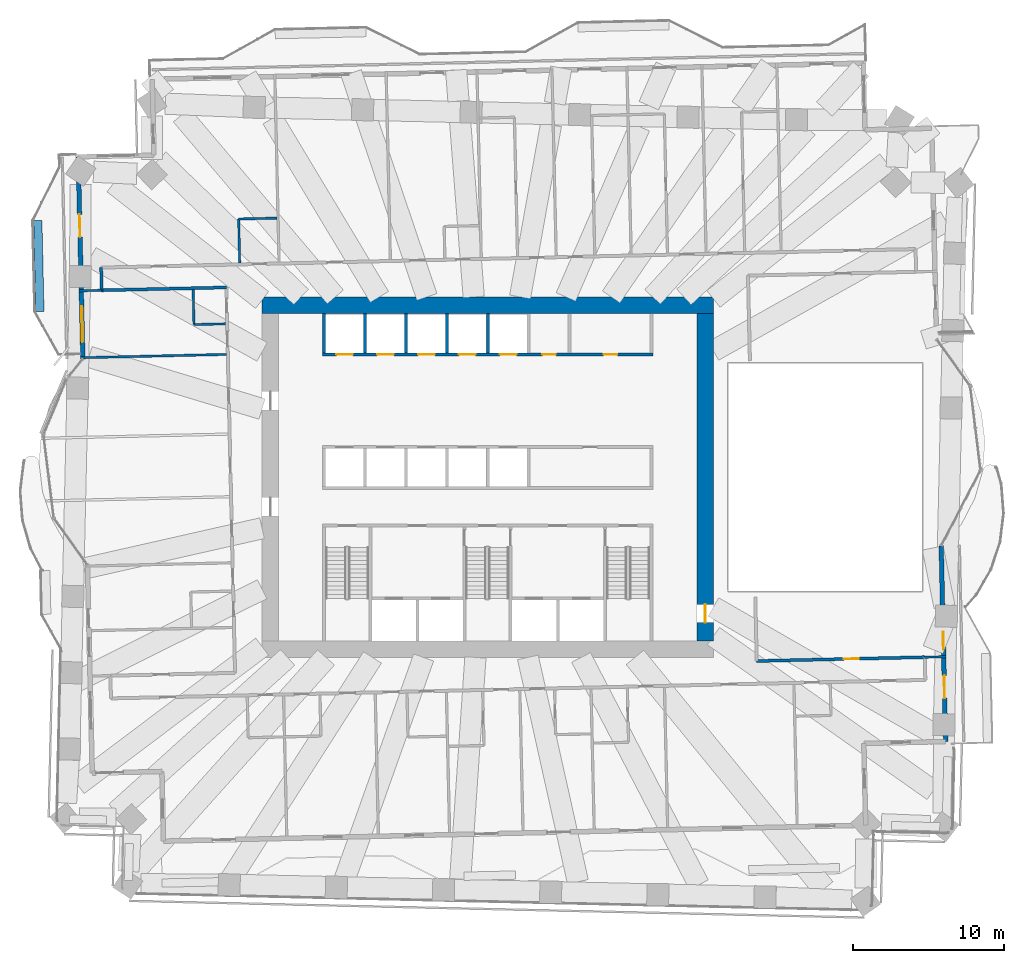
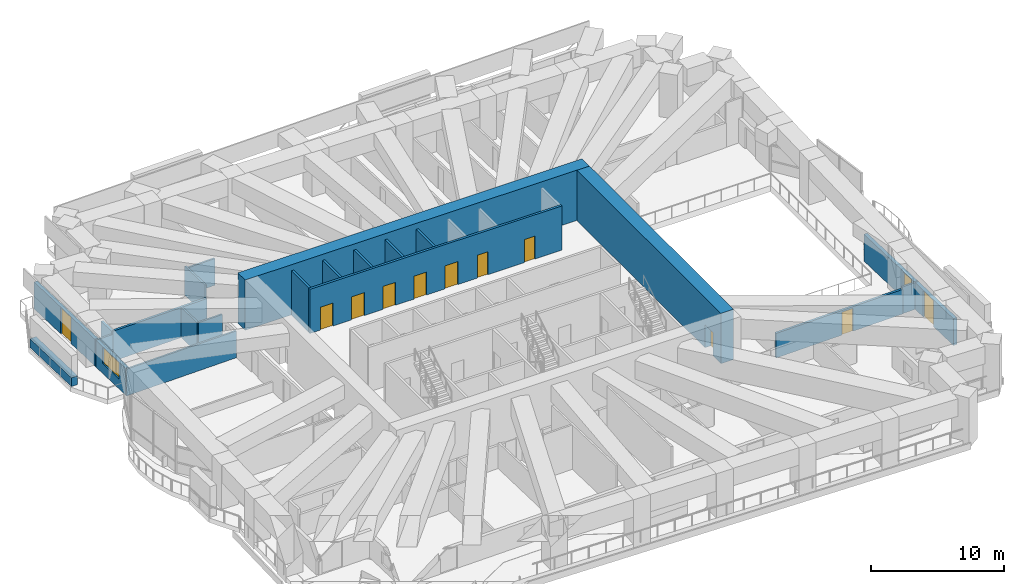
# One storey, part 13 of 20: 21 walls, 11 doors, 2 windows, 13 openings.
"""IFC4 building model written with IfcOpenShell, lengths in metres."""

from ifc_helpers import new_model, si_unit, direction, frame, frame_2d, origin, place, context, subcontext, project, spatial, rectangle, extrude, material, layer, layer_set, type_object, element, fill, save


model = new_model("IFC4")

# Units and contexts
model_context = context("Model", 3, precision=1e-05, world=origin(), true_north=direction((0.0, 1.0)))
body_context = subcontext(model_context, "Body", "Model", "MODEL_VIEW")
ifc_project = project(units=[si_unit("LENGTHUNIT", "METRE"), si_unit("AREAUNIT", "SQUARE_METRE"), si_unit("VOLUMEUNIT", "CUBIC_METRE"), si_unit("PLANEANGLEUNIT", "RADIAN"), si_unit("MASSUNIT", "GRAM", prefix="KILO")], contexts=[model_context])

# Site, building, storey
site_placement = place(None, origin())
site = spatial("IfcSite", under=ifc_project, at=site_placement, CompositionType="ELEMENT")
building_placement = place(site_placement, origin())
building = spatial("IfcBuilding", under=site, at=building_placement, Name="Mangrove Gate Tower", CompositionType="ELEMENT")
storey_placement = place(building_placement, frame((0.0, 0.0, 74.699951171875)))
storey = spatial("IfcBuildingStorey", under=building, at=storey_placement, Name="L18", CompositionType="ELEMENT", Elevation=74.699951171875)

# Wall, openings, doors
ifc_material_1 = material(Name="Concrete C70/85", Category="concrete")
ifc_layer_1 = layer(ifc_material_1, 0.199951171875)
ifc_layer_set_1 = layer_set([ifc_layer_1], Name="Core shaft wall 200 C70/85")
wall_type_1 = type_object("IfcWallType", Name="Core shaft wall 200 C70/85", PredefinedType="SHEAR", material=ifc_layer_set_1)
wall_1_placement = place(storey_placement, frame((-10.89990234375, 8.10009765625, 0.0), z_axis=(0.0, 0.0, 1.0), x_axis=(1.0, 0.0, 0.0)))
wall_1 = element("IfcWall", 1, at=wall_1_placement, inside=storey, type_object=wall_type_1, Name="WALL-L18-CORE-8", PredefinedType="SHEAR", context=body_context, shape_type="SweptSolid", body=[
    extrude(rectangle(XDim=21.7998046875, YDim=0.199951171875, at=frame_2d((10.89990234375, 0.0))), origin(), (0.0, 0.0, 1.0), 4.050048828125),
])
opening_1_placement = place(wall_1_placement, frame((0.89990234375, 0.0, 0.0)))
opening_1 = element("IfcOpeningElement", 2, at=opening_1_placement, cuts=wall_1, Name="Opening LD", PredefinedType="OPENING", context=body_context, shape_type="SweptSolid", body=[
    extrude(rectangle(XDim=1.10009765625, YDim=2.10009765625, at=frame_2d((0.550048828125, 1.050048828125))), frame((0.0, 0.10986328125, 0.0), z_axis=(0.0, -1.0, 0.0), x_axis=(1.0, 0.0, 0.0)), (0.0, 0.0, 1.0), 0.219970703125),
])
opening_2_placement = place(wall_1_placement, frame((3.60009765625, 0.0, 0.0)))
opening_2 = element("IfcOpeningElement", 3, at=opening_2_placement, cuts=wall_1, Name="Opening LD", PredefinedType="OPENING", context=body_context, shape_type="SweptSolid", body=[
    extrude(rectangle(XDim=1.10009765625, YDim=2.10009765625, at=frame_2d((0.550048828125, 1.050048828125))), frame((0.0, 0.10986328125, 0.0), z_axis=(0.0, -1.0, 0.0), x_axis=(1.0, 0.0, 0.0)), (0.0, 0.0, 1.0), 0.219970703125),
])
opening_3_placement = place(wall_1_placement, frame((6.300048828125, 0.0, 0.0)))
opening_3 = element("IfcOpeningElement", 4, at=opening_3_placement, cuts=wall_1, Name="Opening LD", PredefinedType="OPENING", context=body_context, shape_type="SweptSolid", body=[
    extrude(rectangle(XDim=1.10009765625, YDim=2.10009765625, at=frame_2d((0.550048828125, 1.050048828125))), frame((0.0, 0.10986328125, 0.0), z_axis=(0.0, -1.0, 0.0), x_axis=(1.0, 0.0, 0.0)), (0.0, 0.0, 1.0), 0.219970703125),
])
opening_4_placement = place(wall_1_placement, frame((9.0, 0.0, 0.0)))
opening_4 = element("IfcOpeningElement", 5, at=opening_4_placement, cuts=wall_1, Name="Opening LD", PredefinedType="OPENING", context=body_context, shape_type="SweptSolid", body=[
    extrude(rectangle(XDim=1.10009765625, YDim=2.10009765625, at=frame_2d((0.550048828125, 1.050048828125))), frame((0.0, 0.10986328125, 0.0), z_axis=(0.0, -1.0, 0.0), x_axis=(1.0, 0.0, 0.0)), (0.0, 0.0, 1.0), 0.219970703125),
])
opening_5_placement = place(wall_1_placement, frame((11.699951171875, 0.0, 0.0)))
opening_5 = element("IfcOpeningElement", 6, at=opening_5_placement, cuts=wall_1, Name="Opening LD", PredefinedType="OPENING", context=body_context, shape_type="SweptSolid", body=[
    extrude(rectangle(XDim=1.10009765625, YDim=2.10009765625, at=frame_2d((0.550048828125, 1.050048828125))), frame((0.0, 0.10986328125, 0.0), z_axis=(0.0, -1.0, 0.0), x_axis=(1.0, 0.0, 0.0)), (0.0, 0.0, 1.0), 0.219970703125),
])
opening_6_placement = place(wall_1_placement, frame((14.5, 0.0, 0.0)))
opening_6 = element("IfcOpeningElement", 7, at=opening_6_placement, cuts=wall_1, Name="Opening KD", PredefinedType="OPENING", context=body_context, shape_type="SweptSolid", body=[
    extrude(rectangle(XDim=0.89990234375, YDim=2.10009765625, at=frame_2d((0.449951171875, 1.050048828125))), frame((0.0, 0.10986328125, 0.0), z_axis=(0.0, -1.0, 0.0), x_axis=(1.0, 0.0, 0.0)), (0.0, 0.0, 1.0), 0.219970703125),
])
opening_7_placement = place(wall_1_placement, frame((18.550048828125, 0.0, 0.0)))
opening_7 = element("IfcOpeningElement", 8, at=opening_7_placement, cuts=wall_1, Name="Opening KD", PredefinedType="OPENING", context=body_context, shape_type="SweptSolid", body=[
    extrude(rectangle(XDim=0.89990234375, YDim=2.10009765625, at=frame_2d((0.449951171875, 1.050048828125))), frame((0.0, 0.10986328125, 0.0), z_axis=(0.0, -1.0, 0.0), x_axis=(1.0, 0.0, 0.0)), (0.0, 0.0, 1.0), 0.219970703125),
])
ifc_material_2 = material(Name="Fire-rated steel door set", Category="steel")
door_type_1 = type_object("IfcDoorType", Name="Core room door FD30S 900x2100", OperationType="SINGLE_SWING_RIGHT", PredefinedType="DOOR", material=ifc_material_2)
door_1_placement = place(opening_6_placement, origin())
door_1 = element("IfcDoor", 9, at=door_1_placement, inside=storey, type_object=door_type_1, Name="Core room door Pantry store", OperationType="SINGLE_SWING_RIGHT", OverallHeight=2.10009765625, OverallWidth=0.89990234375, PredefinedType="DOOR", context=body_context, shape_type="SweptSolid", body=[
    extrude(rectangle(XDim=0.89990234375, YDim=2.10009765625, at=frame_2d((0.449951171875, 1.050048828125))), frame((0.0, 0.02490234375, 0.0), z_axis=(0.0, -1.0, 0.0), x_axis=(1.0, 0.0, 0.0)), (0.0, 0.0, 1.0), 0.050048828125),
])
fill(opening_6, door_1)
door_2_placement = place(opening_7_placement, origin())
door_2 = element("IfcDoor", 10, at=door_2_placement, inside=storey, type_object=door_type_1, Name="Core room door Cleaner's store", OperationType="SINGLE_SWING_RIGHT", OverallHeight=2.10009765625, OverallWidth=0.89990234375, PredefinedType="DOOR", context=body_context, shape_type="SweptSolid", body=[
    extrude(rectangle(XDim=0.89990234375, YDim=2.10009765625, at=frame_2d((0.449951171875, 1.050048828125))), frame((0.0, 0.02490234375, 0.0), z_axis=(0.0, -1.0, 0.0), x_axis=(1.0, 0.0, 0.0)), (0.0, 0.0, 1.0), 0.050048828125),
])
fill(opening_7, door_2)
ifc_material_3 = material(Name="Stainless steel 316", Category="steel")
door_type_2 = type_object("IfcDoorType", Name="Lift landing door 1100x2100", OperationType="SLIDING_TO_LEFT", PredefinedType="DOOR", material=ifc_material_3)
door_3_placement = place(opening_1_placement, origin())
door_3 = element("IfcDoor", 11, at=door_3_placement, inside=storey, type_object=door_type_2, Name="Landing door LD P06", OperationType="SLIDING_TO_LEFT", OverallHeight=2.10009765625, OverallWidth=1.10009765625, PredefinedType="DOOR", context=body_context, shape_type="SweptSolid", body=[
    extrude(rectangle(XDim=1.10009765625, YDim=2.10009765625, at=frame_2d((0.550048828125, 1.050048828125))), frame((0.0, 0.02490234375, 0.0), z_axis=(0.0, -1.0, 0.0), x_axis=(1.0, 0.0, 0.0)), (0.0, 0.0, 1.0), 0.050048828125),
])
fill(opening_1, door_3)
door_4_placement = place(opening_2_placement, origin())
door_4 = element("IfcDoor", 12, at=door_4_placement, inside=storey, type_object=door_type_2, Name="Landing door LD P07", OperationType="SLIDING_TO_LEFT", OverallHeight=2.10009765625, OverallWidth=1.10009765625, PredefinedType="DOOR", context=body_context, shape_type="SweptSolid", body=[
    extrude(rectangle(XDim=1.10009765625, YDim=2.10009765625, at=frame_2d((0.550048828125, 1.050048828125))), frame((0.0, 0.02490234375, 0.0), z_axis=(0.0, -1.0, 0.0), x_axis=(1.0, 0.0, 0.0)), (0.0, 0.0, 1.0), 0.050048828125),
])
fill(opening_2, door_4)
door_5_placement = place(opening_3_placement, origin())
door_5 = element("IfcDoor", 13, at=door_5_placement, inside=storey, type_object=door_type_2, Name="Landing door LD P08", OperationType="SLIDING_TO_LEFT", OverallHeight=2.10009765625, OverallWidth=1.10009765625, PredefinedType="DOOR", context=body_context, shape_type="SweptSolid", body=[
    extrude(rectangle(XDim=1.10009765625, YDim=2.10009765625, at=frame_2d((0.550048828125, 1.050048828125))), frame((0.0, 0.02490234375, 0.0), z_axis=(0.0, -1.0, 0.0), x_axis=(1.0, 0.0, 0.0)), (0.0, 0.0, 1.0), 0.050048828125),
])
fill(opening_3, door_5)
door_6_placement = place(opening_4_placement, origin())
door_6 = element("IfcDoor", 14, at=door_6_placement, inside=storey, type_object=door_type_2, Name="Landing door LD P09", OperationType="SLIDING_TO_LEFT", OverallHeight=2.10009765625, OverallWidth=1.10009765625, PredefinedType="DOOR", context=body_context, shape_type="SweptSolid", body=[
    extrude(rectangle(XDim=1.10009765625, YDim=2.10009765625, at=frame_2d((0.550048828125, 1.050048828125))), frame((0.0, 0.02490234375, 0.0), z_axis=(0.0, -1.0, 0.0), x_axis=(1.0, 0.0, 0.0)), (0.0, 0.0, 1.0), 0.050048828125),
])
fill(opening_4, door_6)
door_7_placement = place(opening_5_placement, origin())
door_7 = element("IfcDoor", 15, at=door_7_placement, inside=storey, type_object=door_type_2, Name="Landing door LD P10", OperationType="SLIDING_TO_LEFT", OverallHeight=2.10009765625, OverallWidth=1.10009765625, PredefinedType="DOOR", context=body_context, shape_type="SweptSolid", body=[
    extrude(rectangle(XDim=1.10009765625, YDim=2.10009765625, at=frame_2d((0.550048828125, 1.050048828125))), frame((0.0, 0.02490234375, 0.0), z_axis=(0.0, -1.0, 0.0), x_axis=(1.0, 0.0, 0.0)), (0.0, 0.0, 1.0), 0.050048828125),
])
fill(opening_5, door_7)

# Walls
for number, where, z_axis, x_axis, name in (
    (16, (-10.800048828125, 8.199951171875, 0.0), (0.0, 0.0, 1.0), (0.0, 1.0, 0.0), "WALL-L18-CORE-26"),
    (17, (-8.10009765625, 8.199951171875, 0.0), (0.0, 0.0, 1.0), (0.0, 1.0, 0.0), "WALL-L18-CORE-27"),
    (18, (-5.39990234375, 8.199951171875, 0.0), (0.0, 0.0, 1.0), (0.0, 1.0, 0.0), "WALL-L18-CORE-28"),
    (19, (-2.699951171875, 8.199951171875, 0.0), (0.0, 0.0, 1.0), (0.0, 1.0, 0.0), "WALL-L18-CORE-29"),
    (20, (0.0, 8.199951171875, 0.0), (0.0, 0.0, 1.0), (0.0, 1.0, 0.0), "WALL-L18-CORE-30"),
):
    element("IfcWall", number, at=place(storey_placement, frame(where, z_axis=z_axis, x_axis=x_axis)), inside=storey, type_object=wall_type_1, Name=name, PredefinedType="SHEAR", context=body_context, shape_type="SweptSolid", body=[
        extrude(rectangle(XDim=2.60009765625, YDim=0.199951171875, at=frame_2d((1.300048828125, 0.0))), origin(), (0.0, 0.0, 1.0), 4.050048828125),
    ])
ifc_material_4 = material(Name="Concrete C70/85", Category="concrete")
ifc_layer_2 = layer(ifc_material_4, 1.10009765625)
ifc_layer_set_2 = layer_set([ifc_layer_2], Name="Core wall 1100 C70/85")
wall_type_2 = type_object("IfcWallType", Name="Core wall 1100 C70/85", PredefinedType="SHEAR", material=ifc_layer_set_2)
wall_2_placement = place(storey_placement, frame((-14.89990234375, 11.35009765625, 0.0), z_axis=(0.0, 0.0, 1.0), x_axis=(1.0, 0.0, 0.0)))
element("IfcWall", 21, at=wall_2_placement, inside=storey, type_object=wall_type_2, Name="WALL-L18-CORE-2", PredefinedType="SHEAR", context=body_context, shape_type="SweptSolid", body=[
    extrude(rectangle(XDim=29.7998046875, YDim=1.10009765625, at=frame_2d((14.89990234375, 0.0))), origin(), (0.0, 0.0, 1.0), 4.60009765625),
])

# Wall, opening, door
wall_3_placement = place(storey_placement, frame((14.35009765625, -10.800048828125, 0.0), z_axis=(0.0, 0.0, 1.0), x_axis=(0.0, 1.0, 0.0)))
wall_3 = element("IfcWall", 22, at=wall_3_placement, inside=storey, type_object=wall_type_2, Name="WALL-L18-CORE-4", PredefinedType="SHEAR", context=body_context, shape_type="SweptSolid", body=[
    extrude(rectangle(XDim=21.60009765625, YDim=1.10009765625, at=frame_2d((10.800048828125, 0.0))), origin(), (0.0, 0.0, 1.0), 4.60009765625),
])
opening_8_placement = place(wall_3_placement, frame((1.199951171875, 0.0, 0.0)))
opening_8 = element("IfcOpeningElement", 23, at=opening_8_placement, cuts=wall_3, Name="Opening CD", PredefinedType="OPENING", context=body_context, shape_type="SweptSolid", body=[
    extrude(rectangle(XDim=1.199951171875, YDim=2.10009765625, at=frame_2d((0.60009765625, 1.050048828125))), frame((0.0, 0.56005859375, 0.0), z_axis=(0.0, -1.0, 0.0), x_axis=(1.0, 0.0, 0.0)), (0.0, 0.0, 1.0), 1.1201171875),
])
ifc_material_5 = material(Name="Fire-rated steel door set", Category="steel")
door_type_3 = type_object("IfcDoorType", Name="Core ring door FD60 1200x2100", OperationType="DOUBLE_DOOR_SINGLE_SWING", PredefinedType="DOOR", material=ifc_material_5)
door_8_placement = place(opening_8_placement, origin())
door_8 = element("IfcDoor", 24, at=door_8_placement, inside=storey, type_object=door_type_3, Name="Core ring door E1", OperationType="DOUBLE_DOOR_SINGLE_SWING", OverallHeight=2.10009765625, OverallWidth=1.199951171875, PredefinedType="DOOR", context=body_context, shape_type="SweptSolid", body=[
    extrude(rectangle(XDim=1.199951171875, YDim=2.10009765625, at=frame_2d((0.60009765625, 1.050048828125))), frame((0.0, 0.02490234375, 0.0), z_axis=(0.0, -1.0, 0.0), x_axis=(1.0, 0.0, 0.0)), (0.0, 0.0, 1.0), 0.050048828125),
])
fill(opening_8, door_8)

ifc_material_6 = material(Name="Gypsum board on steel stud, EI 60", Category="steel")
ifc_layer_3 = layer(ifc_material_6, 0.199951171875)
ifc_layer_set_3 = layer_set([ifc_layer_3], Name="Corridor wall EI 60")
wall_type_3 = type_object("IfcWallType", Name="Corridor wall EI 60", PredefinedType="PARTITIONING", material=ifc_layer_set_3)
wall_4_placement = place(storey_placement, frame((17.7529296875, -12.136962890625, 0.0), z_axis=(0.0, 0.0, 1.0), x_axis=(0.99974235761, 0.022698422868, 0.0)))
wall_4 = element("IfcWall", 25, at=wall_4_placement, inside=storey, type_object=wall_type_3, Name="WALL-L18-027", PredefinedType="PARTITIONING", context=body_context, shape_type="SweptSolid", body=[
    extrude(rectangle(XDim=11.10009765625, YDim=0.199951171875, at=frame_2d((5.550048828125, 0.0))), origin(), (0.0, 0.0, 1.0), 2.25),
])
opening_9_placement = place(wall_4_placement, frame((5.75, 0.0, 0.0)))
opening_9 = element("IfcOpeningElement", 26, at=opening_9_placement, cuts=wall_4, Name="Opening AD", PredefinedType="OPENING", context=body_context, shape_type="SweptSolid", body=[
    extrude(rectangle(XDim=1.0, YDim=2.10009765625, at=frame_2d((0.5, 1.050048828125))), frame((0.0, 0.10986328125, 0.0), z_axis=(0.0, -1.0, 0.0), x_axis=(1.0, 0.0, 0.0)), (0.0, 0.0, 1.0), 0.219970703125),
])
ifc_material_7 = material(Name="Timber door leaf", Category="wood")
door_type_4 = type_object("IfcDoorType", Name="Amenity door 1000", OperationType="SINGLE_SWING_LEFT", PredefinedType="DOOR", material=ifc_material_7)
door_9_placement = place(opening_9_placement, origin())
door_9 = element("IfcDoor", 27, at=door_9_placement, inside=storey, type_object=door_type_4, Name="DOOR-L18-GAM-c3a", OperationType="SINGLE_SWING_RIGHT", OverallHeight=2.10009765625, OverallWidth=1.0, PredefinedType="DOOR", context=body_context, shape_type="SweptSolid", body=[
    extrude(rectangle(XDim=1.0, YDim=2.10009765625, at=frame_2d((0.5, 1.050048828125))), frame((0.0, 0.02490234375, 0.0), z_axis=(0.0, -1.0, 0.0), x_axis=(1.0, 0.0, 0.0)), (0.0, 0.0, 1.0), 0.050048828125),
])
fill(opening_9, door_9)

# Walls
wall_5_placement = place(storey_placement, frame((-25.490966796875, 12.337890625, 0.0), z_axis=(0.0, 0.0, 1.0), x_axis=(0.999742172114, 0.022706591468, 0.0)))
element("IfcWall", 28, at=wall_5_placement, inside=storey, type_object=wall_type_3, Name="WALL-L18-041", PredefinedType="PARTITIONING", context=body_context, shape_type="SweptSolid", body=[
    extrude(rectangle(XDim=8.236083984375, YDim=0.199951171875, at=frame_2d((4.1181640625, 0.0))), origin(), (0.0, 0.0, 1.0), 2.75),
])
wall_6_placement = place(storey_placement, frame((-25.489013671875, 12.337890625, 0.0), z_axis=(0.0, 0.0, 1.0), x_axis=(-0.022617910375, 0.999744182344, 0.0)))
element("IfcWall", 29, at=wall_6_placement, inside=storey, type_object=wall_type_3, Name="WALL-L18-042", PredefinedType="PARTITIONING", context=body_context, shape_type="SweptSolid", body=[
    extrude(rectangle(XDim=1.50048828125, YDim=0.199951171875, at=frame_2d((0.750244140625, 0.0))), origin(), (0.0, 0.0, 1.0), 2.75),
])

# Wall, openings, door, window
ifc_material_8 = material(Name="Limestone", Category="masonry")
ifc_layer_4 = layer(ifc_material_8, 0.0400390625, Name="Limestone cladding")
ifc_material_9 = material(Name="Ventilated air gap")
ifc_layer_5 = layer(ifc_material_9, 0.0400390625, Name="Ventilated cavity")
ifc_material_10 = material(Name="Mineral wool insulation")
ifc_layer_6 = layer(ifc_material_10, 0.06005859375, Name="Insulation")
ifc_material_11 = material(Name="Breather membrane")
ifc_layer_7 = layer(ifc_material_11, 0.001953125, Name="Breather membrane")
ifc_material_12 = material(Name="Concrete C20/25 blockwork", Category="masonry")
ifc_layer_8 = layer(ifc_material_12, 0.14990234375, Name="Blockwork backing wall")
ifc_material_13 = material(Name="Gypsum plaster")
ifc_layer_9 = layer(ifc_material_13, 0.008056640625, Name="Internal plaster")
ifc_layer_set_4 = layer_set([ifc_layer_4, ifc_layer_5, ifc_layer_6, ifc_layer_7, ifc_layer_8, ifc_layer_9], Name="External wall 300 limestone cladding")
wall_type_4 = type_object("IfcWallType", Name="External wall 300 limestone cladding", PredefinedType="SOLIDWALL", material=ifc_layer_set_4)
wall_7_placement = place(storey_placement, frame((30.22705078125, -17.455078125, 0.0), z_axis=(0.0, 0.0, 1.0), x_axis=(-0.022734702163, 0.999741533256, 0.0)))
wall_7 = element("IfcWall", 30, at=wall_7_placement, inside=storey, type_object=wall_type_4, Name="WALL-L18-E0", PredefinedType="SOLIDWALL", context=body_context, shape_type="SweptSolid", body=[
    extrude(rectangle(XDim=12.929443359375, YDim=0.300048828125, at=frame_2d((6.46484375, 0.0))), origin(), (0.0, 0.0, 1.0), 2.449951171875),
])
opening_10_placement = place(wall_7_placement, frame((2.863037109375, 0.0, 0.0)))
opening_10 = element("IfcOpeningElement", 31, at=opening_10_placement, cuts=wall_7, Name="Opening BD1", PredefinedType="OPENING", context=body_context, shape_type="SweptSolid", body=[
    extrude(rectangle(XDim=1.5, YDim=2.39990234375, at=frame_2d((0.75, 1.199951171875))), frame((0.0, 0.159912109375, 0.0), z_axis=(0.0, -1.0, 0.0), x_axis=(1.0, 0.0, 0.0)), (0.0, 0.0, 1.0), 0.320068359375),
])
opening_11_placement = place(wall_7_placement, frame((6.05908203125, 0.0, 0.89990234375)))
opening_11 = element("IfcOpeningElement", 32, at=opening_11_placement, cuts=wall_7, Name="Opening W1", PredefinedType="OPENING", context=body_context, shape_type="SweptSolid", body=[
    extrude(rectangle(XDim=1.199951171875, YDim=1.5, at=frame_2d((0.60009765625, 0.75))), frame((0.0, 0.159912109375, 0.0), z_axis=(0.0, -1.0, 0.0), x_axis=(1.0, 0.0, 0.0)), (0.0, 0.0, 1.0), 0.320068359375),
])
ifc_material_14 = material(Name="Aluminium frame with laminated clear glass", Category="aluminium")
door_type_5 = type_object("IfcDoorType", Name="Balcony sliding door 1500x2400", OperationType="SLIDING_TO_LEFT", PredefinedType="DOOR", material=ifc_material_14)
door_10_placement = place(opening_10_placement, origin())
door_10 = element("IfcDoor", 33, at=door_10_placement, inside=storey, type_object=door_type_5, Name="DOOR-L18-E0-1", OperationType="SLIDING_TO_LEFT", OverallHeight=2.39990234375, OverallWidth=1.5, PredefinedType="DOOR", context=body_context, shape_type="SweptSolid", body=[
    extrude(rectangle(XDim=1.5, YDim=2.39990234375, at=frame_2d((0.75, 1.199951171875))), frame((0.0, 0.02490234375, 0.0), z_axis=(0.0, -1.0, 0.0), x_axis=(1.0, 0.0, 0.0)), (0.0, 0.0, 1.0), 0.050048828125),
])
fill(opening_10, door_10)
ifc_material_15 = material(Name="Aluminium frame with double-glazed low-e glass", Category="aluminium")
window_type_1 = type_object("IfcWindowType", Name="Side lite 1200x1500", PartitioningType="SINGLE_PANEL", PredefinedType="WINDOW", material=ifc_material_15)
window_1_placement = place(opening_11_placement, origin())
window_1 = element("IfcWindow", 34, at=window_1_placement, inside=storey, type_object=window_type_1, Name="WIN-L18-E0-2", OverallHeight=1.5, OverallWidth=1.199951171875, PartitioningType="SINGLE_PANEL", PredefinedType="WINDOW", context=body_context, shape_type="SweptSolid", body=[
    extrude(rectangle(XDim=1.199951171875, YDim=1.5, at=frame_2d((0.60009765625, 0.75))), frame((0.0, 0.030029296875, 0.0), z_axis=(0.0, -1.0, 0.0), x_axis=(1.0, 0.0, 0.0)), (0.0, 0.0, 1.0), 0.06005859375),
])
fill(opening_11, window_1)

wall_8_placement = place(storey_placement, frame((-27.035888671875, 21.155029296875, 0.0), z_axis=(0.0, 0.0, 1.0), x_axis=(0.022730142562, -0.999741636934, 0.0)))
wall_8 = element("IfcWall", 35, at=wall_8_placement, inside=storey, type_object=wall_type_4, Name="WALL-L18-W8", PredefinedType="SOLIDWALL", context=body_context, shape_type="SweptSolid", body=[
    extrude(rectangle(XDim=13.329345703125, YDim=0.300048828125, at=frame_2d((6.66455078125, 0.0))), origin(), (0.0, 0.0, 1.0), 2.449951171875),
])
opening_12_placement = place(wall_8_placement, frame((3.81298828125, 0.0, 0.0)))
opening_12 = element("IfcOpeningElement", 36, at=opening_12_placement, cuts=wall_8, Name="Opening BD1", PredefinedType="OPENING", context=body_context, shape_type="SweptSolid", body=[
    extrude(rectangle(XDim=1.5, YDim=2.39990234375, at=frame_2d((0.75, 1.199951171875))), frame((0.0, 0.159912109375, 0.0), z_axis=(0.0, -1.0, 0.0), x_axis=(1.0, 0.0, 0.0)), (0.0, 0.0, 1.0), 0.320068359375),
])
opening_13_placement = place(wall_8_placement, frame((9.862060546875, 0.0, 0.89990234375)))
opening_13 = element("IfcOpeningElement", 37, at=opening_13_placement, cuts=wall_8, Name="Opening W2", PredefinedType="OPENING", context=body_context, shape_type="SweptSolid", body=[
    extrude(rectangle(XDim=2.39990234375, YDim=1.5, at=frame_2d((1.199951171875, 0.75))), frame((0.0, 0.159912109375, 0.0), z_axis=(0.0, -1.0, 0.0), x_axis=(1.0, 0.0, 0.0)), (0.0, 0.0, 1.0), 0.320068359375),
])
door_11_placement = place(opening_12_placement, origin())
door_11 = element("IfcDoor", 38, at=door_11_placement, inside=storey, type_object=door_type_5, Name="DOOR-L18-W8-1", OperationType="SLIDING_TO_LEFT", OverallHeight=2.39990234375, OverallWidth=1.5, PredefinedType="DOOR", context=body_context, shape_type="SweptSolid", body=[
    extrude(rectangle(XDim=1.5, YDim=2.39990234375, at=frame_2d((0.75, 1.199951171875))), frame((0.0, 0.02490234375, 0.0), z_axis=(0.0, -1.0, 0.0), x_axis=(1.0, 0.0, 0.0)), (0.0, 0.0, 1.0), 0.050048828125),
])
fill(opening_12, door_11)
ifc_material_16 = material(Name="Aluminium frame with double-glazed low-e glass", Category="aluminium")
window_type_2 = type_object("IfcWindowType", Name="Corner room window 2400x1500", PartitioningType="DOUBLE_PANEL_VERTICAL", PredefinedType="WINDOW", material=ifc_material_16)
window_2_placement = place(opening_13_placement, origin())
window_2 = element("IfcWindow", 39, at=window_2_placement, inside=storey, type_object=window_type_2, Name="WIN-L18-W8-2", OverallHeight=1.5, OverallWidth=2.39990234375, PartitioningType="DOUBLE_PANEL_VERTICAL", PredefinedType="WINDOW", context=body_context, shape_type="SweptSolid", body=[
    extrude(rectangle(XDim=2.39990234375, YDim=1.5, at=frame_2d((1.199951171875, 0.75))), frame((0.0, 0.030029296875, 0.0), z_axis=(0.0, -1.0, 0.0), x_axis=(1.0, 0.0, 0.0)), (0.0, 0.0, 1.0), 0.06005859375),
])
fill(opening_13, window_2)

# Walls
ifc_material_17 = material(Name="Gypsum board on steel stud, EI 60", Category="steel")
ifc_layer_10 = layer(ifc_material_17, 0.14990234375)
ifc_layer_set_5 = layer_set([ifc_layer_10], Name="Party wall 150 EI 60")
wall_type_5 = type_object("IfcWallType", Name="Party wall 150 EI 60", PredefinedType="PARTITIONING", material=ifc_layer_set_5)
wall_9_placement = place(storey_placement, frame((28.845947265625, -11.885009765625, 0.0), z_axis=(0.0, 0.0, 1.0), x_axis=(0.999740667531, 0.022772739949, 0.0)))
element("IfcWall", 40, at=wall_9_placement, inside=storey, type_object=wall_type_5, Name="WALL-L18-029", PredefinedType="PARTITIONING", context=body_context, shape_type="SweptSolid", body=[
    extrude(rectangle(XDim=1.404296875, YDim=0.14990234375, at=frame_2d((0.7021484375, 0.0))), origin(), (0.0, 0.0, 1.0), 2.449951171875),
])
wall_10_placement = place(storey_placement, frame((-26.885009765625, 7.885009765625, 0.0), z_axis=(0.0, 0.0, 1.0), x_axis=(0.999741468995, 0.022737527832, 0.0)))
element("IfcWall", 41, at=wall_10_placement, inside=storey, type_object=wall_type_5, Name="WALL-L18-037", PredefinedType="PARTITIONING", context=body_context, shape_type="SweptSolid", body=[
    extrude(rectangle(XDim=9.63134765625, YDim=0.14990234375, at=frame_2d((4.815673828125, 0.0))), origin(), (0.0, 0.0, 1.0), 2.449951171875),
])
wall_11_placement = place(storey_placement, frame((-19.402099609375, 10.075927734375, 0.0), z_axis=(0.0, 0.0, 1.0), x_axis=(0.999748393524, 0.022430997437, 0.0)))
element("IfcWall", 42, at=wall_11_placement, inside=storey, type_object=wall_type_5, Name="WALL-L18-038", PredefinedType="PARTITIONING", context=body_context, shape_type="SweptSolid", body=[
    extrude(rectangle(XDim=2.1005859375, YDim=0.14990234375, at=frame_2d((1.05029296875, 0.0))), origin(), (0.0, 0.0, 1.0), 2.75),
])
wall_12_placement = place(storey_placement, frame((-19.39697265625, 10.075927734375, 0.0), z_axis=(0.0, 0.0, 1.0), x_axis=(-0.022612884682, 0.999744296031, 0.0)))
element("IfcWall", 43, at=wall_12_placement, inside=storey, type_object=wall_type_5, Name="WALL-L18-039", PredefinedType="PARTITIONING", context=body_context, shape_type="SweptSolid", body=[
    extrude(rectangle(XDim=2.299560546875, YDim=0.14990234375, at=frame_2d((1.14990234375, 0.0))), origin(), (0.0, 0.0, 1.0), 2.75),
])
wall_13_placement = place(storey_placement, frame((-26.985107421875, 12.303955078125, 0.0), z_axis=(0.0, 0.0, 1.0), x_axis=(0.999743515105, 0.022647384061, 0.0)))
element("IfcWall", 44, at=wall_13_placement, inside=storey, type_object=wall_type_5, Name="WALL-L18-040", PredefinedType="PARTITIONING", context=body_context, shape_type="SweptSolid", body=[
    extrude(rectangle(XDim=1.49853515625, YDim=0.14990234375, at=frame_2d((0.749267578125, 0.0))), origin(), (0.0, 0.0, 1.0), 2.449951171875),
])
wall_14_placement = place(storey_placement, frame((-16.3779296875, 14.14501953125, 0.0), z_axis=(0.0, 0.0, 1.0), x_axis=(-0.022809352981, 0.999739832865, 0.0)))
element("IfcWall", 45, at=wall_14_placement, inside=storey, type_object=wall_type_5, Name="WALL-L18-047", PredefinedType="PARTITIONING", context=body_context, shape_type="SweptSolid", body=[
    extrude(rectangle(XDim=2.900634765625, YDim=0.14990234375, at=frame_2d((1.4501953125, 0.0))), origin(), (0.0, 0.0, 1.0), 2.650146484375),
])
wall_15_placement = place(storey_placement, frame((-16.43994140625, 17.044921875, 0.0), z_axis=(0.0, 0.0, 1.0), x_axis=(0.99974392816, 0.022629142889, 0.0)))
element("IfcWall", 46, at=wall_15_placement, inside=storey, type_object=wall_type_5, Name="WALL-L18-061", PredefinedType="PARTITIONING", context=body_context, shape_type="SweptSolid", body=[
    extrude(rectangle(XDim=2.524658203125, YDim=0.14990234375, at=frame_2d((1.26220703125, 0.0))), origin(), (0.0, 0.0, 1.0), 2.449951171875),
])
ifc_material_18 = material(Name="Concrete C32/40", Category="concrete")
ifc_layer_11 = layer(ifc_material_18, 0.199951171875, Name="Planter trough wall")
ifc_material_19 = material(Name="Bituminous waterproofing membrane")
ifc_layer_12 = layer(ifc_material_19, 0.0048828125, Name="Waterproofing")
ifc_material_20 = material(Name="Drainage board and gravel")
ifc_layer_13 = layer(ifc_material_20, 0.044921875, Name="Drainage layer")
ifc_material_21 = material(Name="Planting soil")
ifc_layer_14 = layer(ifc_material_21, 0.300048828125, Name="Growing medium")
ifc_layer_set_6 = layer_set([ifc_layer_11, ifc_layer_12, ifc_layer_13, ifc_layer_14], Name="Planter wall 550 C32/40")
wall_type_6 = type_object("IfcWallType", Name="Planter wall 550 C32/40", PredefinedType="USERDEFINED", material=ifc_layer_set_6)
wall_16_placement = place(storey_placement, frame((-29.570068359375, 10.945068359375, 0.0), z_axis=(0.0, 0.0, 1.0), x_axis=(-0.022665943652, 0.999743094499, 0.0)))
element("IfcWall", 47, at=wall_16_placement, inside=storey, type_object=wall_type_6, Name="PLANTER L18 W0.1", ObjectType="PLANTER", PredefinedType="USERDEFINED", context=body_context, shape_type="SweptSolid", body=[
    extrude(rectangle(XDim=5.99951171875, YDim=0.550048828125, at=frame_2d((2.999755859375, 0.0))), origin(), (0.0, 0.0, 1.0), 0.800048828125),
])

save(model, "model.ifc")
